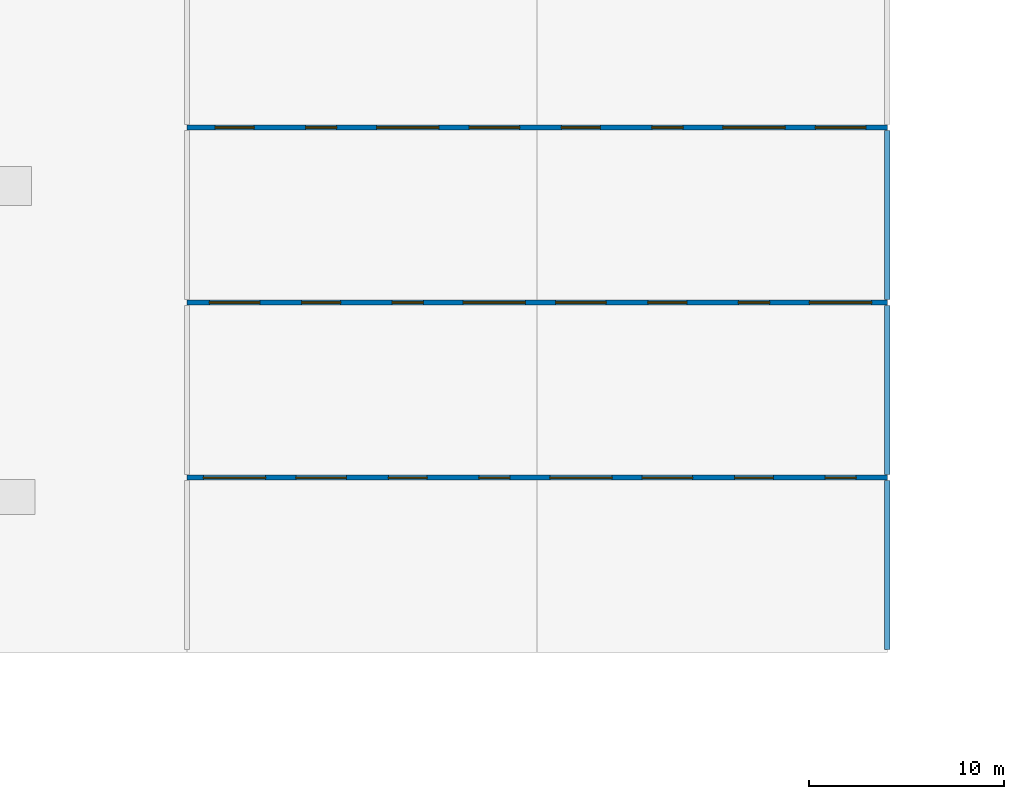
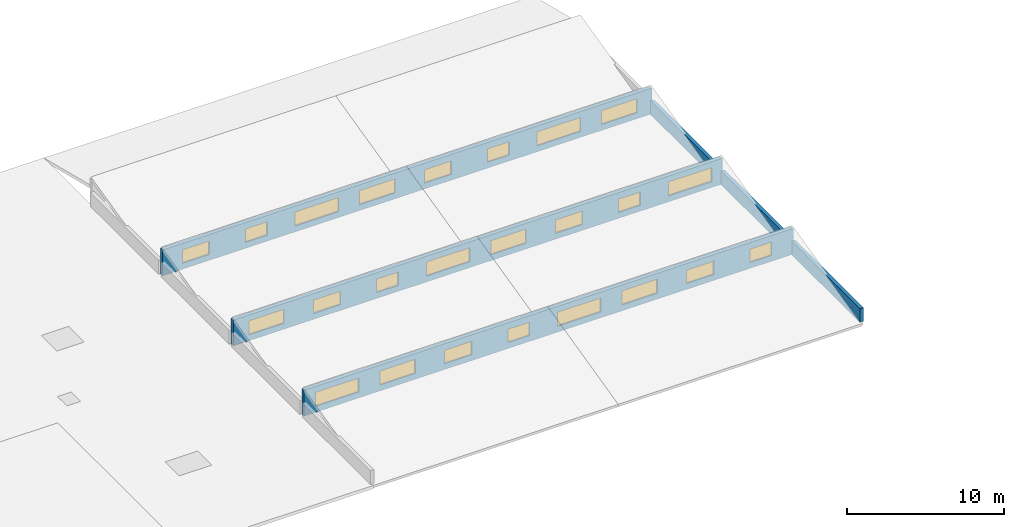
# One storey, part 28 of 37: 24 windows, 6 walls, 24 openings.
"""IFC4 building model written with IfcOpenShell, lengths in metres."""

import ifcopenshell
import ifcopenshell.guid

model = None  # the IFC model being written
_history = None  # IfcOwnerHistory: only IFC2X3 demands one
_inside = {}  # id of a spatial element -> (the spatial element, [elements in it])
_under = {}  # id of a project, library or spatial element -> (it, [spatial elements below it])
_declared = {}  # id of a project -> (the project, [libraries it declares])
_typed = {}  # id of a type object -> (the type object, [elements of that type])
_made_of = {}  # id of a material, layer set ... -> (it, [elements and type objects made of it])


def new_model(schema):
    """Start an empty IFC model of exactly this schema.

    Asked for "IFC4X3", IfcOpenShell would pick the latest addendum, in which some entities
    have other attributes; the version numbers below select the first issue.
    IFC2X3 requires an IfcOwnerHistory on every rooted entity: one is made here for all.
    """
    global model, _history
    if schema == "IFC4X3":
        model = ifcopenshell.file(schema_version=(4, 3, 0, 0))
    else:
        model = ifcopenshell.file(schema=schema)
    _inside.clear()
    _under.clear()
    _declared.clear()
    _typed.clear()
    _made_of.clear()
    _history = None
    if model.schema == "IFC2X3":
        org = make("IfcOrganization", Name="unknown")
        user = make(
            "IfcPersonAndOrganization",
            ThePerson=make("IfcPerson", FamilyName="unknown"),
            TheOrganization=org,
        )
        app = make(
            "IfcApplication",
            ApplicationDeveloper=org,
            Version="unknown",
            ApplicationFullName="unknown",
            ApplicationIdentifier="unknown",
        )
        _history = make(
            "IfcOwnerHistory",
            OwningUser=user,
            OwningApplication=app,
            ChangeAction="ADDED",
            CreationDate=0,
        )
    return model


def make(cls, **values):
    """One entity of the class cls with the attributes given. An attribute that is None is left unset."""
    return model.create_entity(
        cls, **{name: value for name, value in values.items() if value is not None}
    )


def rooted(cls, **values):
    """An entity with a GlobalId (a new one), such as an element, a storey or a relation."""
    return make(cls, GlobalId=ifcopenshell.guid.new(), OwnerHistory=_history, **values)


def si_unit(unit_type, name, prefix=None):
    """IfcSIUnit, for example si_unit("LENGTHUNIT", "METRE", prefix="MILLI")."""
    return make("IfcSIUnit", UnitType=unit_type, Prefix=prefix, Name=name)


def assignment(units):
    """IfcUnitAssignment: the units of a project."""
    return None if units is None else make("IfcUnitAssignment", Units=units)


def point(xyz):
    """IfcCartesianPoint."""
    return None if xyz is None else make("IfcCartesianPoint", Coordinates=xyz)


def direction(xyz):
    """IfcDirection."""
    return None if xyz is None else make("IfcDirection", DirectionRatios=xyz)


def frame(location, z_axis=None, x_axis=None):
    """IfcAxis2Placement3D, a coordinate frame: its origin and axes. An axis left out is left unset."""
    return make(
        "IfcAxis2Placement3D",
        Location=point(location),
        Axis=direction(z_axis),
        RefDirection=direction(x_axis),
    )


def frame_2d(location, x_axis=None):
    """IfcAxis2Placement2D, a coordinate frame in the plane: its origin and x axis."""
    return make(
        "IfcAxis2Placement2D", Location=point(location), RefDirection=direction(x_axis)
    )


def origin():
    """The frame at (0, 0, 0) with its axes left unset."""
    return frame((0.0, 0.0, 0.0))


def place(relative_to, where):
    """IfcLocalPlacement: puts the frame where relative to a parent placement (None: the world)."""
    return make(
        "IfcLocalPlacement", PlacementRelTo=relative_to, RelativePlacement=where
    )


def context(
    kind, dimensions, precision=None, world=None, true_north=None, identifier=None
):
    """IfcGeometricRepresentationContext, for example the 3D "Model" context."""
    return make(
        "IfcGeometricRepresentationContext",
        ContextIdentifier=identifier,
        ContextType=kind,
        CoordinateSpaceDimension=dimensions,
        Precision=precision,
        WorldCoordinateSystem=world,
        TrueNorth=true_north,
    )


def subcontext(parent, identifier, kind, view, scale=None):
    """IfcGeometricRepresentationSubContext, for example "Body" below "Model"."""
    return make(
        "IfcGeometricRepresentationSubContext",
        ContextIdentifier=identifier,
        ContextType=kind,
        ParentContext=parent,
        TargetScale=scale,
        TargetView=view,
    )


def project(units=None, contexts=None):
    """IfcProject with its units and contexts."""
    return rooted(
        "IfcProject",
        Name="project",
        RepresentationContexts=contexts,
        UnitsInContext=assignment(units),
    )


def spatial(cls, under=None, at=None, **own):
    """A site, building, storey or space (cls), placed at a placement, below another one or the project."""
    s = rooted(cls, ObjectPlacement=at, **own)
    if under is not None:
        _under.setdefault(under.id(), (under, []))[1].append(s)
    return s


def profile(cls, at=None, kind="AREA", **sizes):
    """A parametric profile (cls). Its sizes go by their IFC names, for example OverallWidth=200.0."""
    return make(cls, ProfileType=kind, Position=at, **sizes)


def rectangle(**sizes):
    """IfcRectangleProfileDef."""
    return profile("IfcRectangleProfileDef", **sizes)


def extrude(swept, where, along, depth):
    """IfcExtrudedAreaSolid: the profile swept, set in the frame where, extruded along a direction by depth."""
    return make(
        "IfcExtrudedAreaSolid",
        SweptArea=swept,
        Position=where,
        ExtrudedDirection=direction(along),
        Depth=depth,
    )


def shape(context_of_items, identifier, shape_type, items):
    """IfcShapeRepresentation: the items that make up one representation, for example the "Body"."""
    return make(
        "IfcShapeRepresentation",
        ContextOfItems=context_of_items,
        RepresentationIdentifier=identifier,
        RepresentationType=shape_type,
        Items=items,
    )


def material(Name=None, Category=None):
    """IfcMaterial."""
    return make("IfcMaterial", Name=Name, Category=Category)


def layer(
    of_material, thickness, ventilated=None, Name=None, Category=None, Priority=None
):
    """IfcMaterialLayer: one layer of a wall or slab, of a material (None: an air gap)."""
    return make(
        "IfcMaterialLayer",
        Material=of_material,
        LayerThickness=thickness,
        IsVentilated=ventilated,
        Name=Name,
        Category=Category,
        Priority=Priority,
    )


def layer_set(layers, Name=None):
    """IfcMaterialLayerSet."""
    return make("IfcMaterialLayerSet", MaterialLayers=layers, LayerSetName=Name)


def made_of(thing, what):
    """Note that an element or type object is made of a material, layer set ...; save() writes the relation."""
    if what is not None:
        _made_of.setdefault(what.id(), (what, []))[1].append(thing)
    return thing


def type_object(cls, material=None, **own):
    """A type object (cls), such as IfcWallType, which elements share."""
    return made_of(rooted(cls, **own), material)


def element(
    cls,
    number,
    at=None,
    inside=None,
    cuts=None,
    type_object=None,
    material=None,
    context=None,
    identifier="Body",
    shape_type=None,
    held_by="IfcProductDefinitionShape",
    body=None,
    shapes=None,
    **own,
):
    """One element of the class cls, such as IfcWall. Its Tag is "e" and its number.

    at: its placement. inside: the storey or other place that contains it. cuts: it is an
    opening in that element (IfcRelVoidsElement). A single representation is given by context,
    identifier, shape_type and body (its items); several are given by shapes. held_by: the class
    of the entity that holds the representations. save() writes the other relations.
    """
    e = rooted(cls, Tag="e%d" % number, ObjectPlacement=at, **own)
    if body is not None:
        shapes = [shape(context, identifier, shape_type, body)]
    if shapes is not None:
        e.Representation = make(held_by, Representations=shapes)
    if inside is not None:
        _inside.setdefault(inside.id(), (inside, []))[1].append(e)
    if cuts is not None:
        rooted(
            "IfcRelVoidsElement", RelatingBuildingElement=cuts, RelatedOpeningElement=e
        )
    if type_object is not None:
        _typed.setdefault(type_object.id(), (type_object, []))[1].append(e)
    return made_of(e, material)


def fill(opening, filler):
    """IfcRelFillsElement: the door or window that sits in an opening."""
    return rooted(
        "IfcRelFillsElement",
        RelatingOpeningElement=opening,
        RelatedBuildingElement=filler,
    )


def aggregate(whole, parts):
    """IfcRelAggregates: a whole, such as a stair, and the parts it consists of."""
    return rooted("IfcRelAggregates", RelatingObject=whole, RelatedObjects=parts)


def save(model, path):
    """Write the relations noted so far, then the file.

    IfcRelAggregates (storeys below a building ...), IfcRelContainedInSpatialStructure (elements
    in a storey), IfcRelDefinesByType, IfcRelAssociatesMaterial and IfcRelDeclares: one each for
    every whole, place, type object, material and project.
    """
    for whole, parts in _under.values():
        aggregate(whole, parts)
    for where, things in _inside.values():
        rooted(
            "IfcRelContainedInSpatialStructure",
            RelatedElements=things,
            RelatingStructure=where,
        )
    for kind, things in _typed.values():
        rooted("IfcRelDefinesByType", RelatedObjects=things, RelatingType=kind)
    for what, things in _made_of.values():
        rooted("IfcRelAssociatesMaterial", RelatedObjects=things, RelatingMaterial=what)
    for by, libraries in _declared.values():
        rooted("IfcRelDeclares", RelatingContext=by, RelatedDefinitions=libraries)
    model.write(path)


model = new_model("IFC4")

# Units and contexts
model_context = context("Model", 3, precision=1e-05, world=origin(), true_north=direction((0.0, 1.0)))
body_context = subcontext(model_context, "Body", "Model", "MODEL_VIEW")
ifc_project = project(units=[si_unit("LENGTHUNIT", "METRE"), si_unit("AREAUNIT", "SQUARE_METRE"), si_unit("VOLUMEUNIT", "CUBIC_METRE"), si_unit("PLANEANGLEUNIT", "RADIAN"), si_unit("MASSUNIT", "GRAM", prefix="KILO")], contexts=[model_context])

# Site, building, storey
site_placement = place(None, origin())
site = spatial("IfcSite", under=ifc_project, at=site_placement, CompositionType="ELEMENT")
building_placement = place(site_placement, origin())
building = spatial("IfcBuilding", under=site, at=building_placement, Name="Palais des Congres Ocreval", CompositionType="ELEMENT")
storey_placement = place(building_placement, frame((0.0, 0.0, 11.52001953125)))
storey = spatial("IfcBuildingStorey", under=building, at=storey_placement, Name="L03", CompositionType="ELEMENT", Elevation=11.52001953125)

# Wall, openings, windows
ifc_material_1 = material(Name="Concrete C40/50", Category="concrete")
ifc_layer = layer(ifc_material_1, 0.260009765625)
ifc_layer_set = layer_set([ifc_layer], Name="Sawtooth Clerestory Wall 260 Concrete C40/50")
wall_type = type_object("IfcWallType", Name="Sawtooth Clerestory Wall 260 Concrete C40/50", PredefinedType="SOLIDWALL", material=ifc_layer_set)
wall_1_placement = place(storey_placement, frame((126.0, 81.0, 0.0), z_axis=(0.0, 0.0, 1.0), x_axis=(1.0, 0.0, 0.0)))
wall_1 = element("IfcWall", 1, at=wall_1_placement, inside=storey, type_object=wall_type, Name="Ballroom Sawtooth Clerestory Wall 1", PredefinedType="SOLIDWALL", context=body_context, shape_type="SweptSolid", body=[
    extrude(rectangle(XDim=36.0, YDim=0.260009765625, at=frame_2d((18.0, 0.0))), origin(), (0.0, 0.0, 1.0), 2.0),
])
opening_1_placement = place(wall_1_placement, frame((0.85009765625, 0.0, 0.449951171875)))
opening_1 = element("IfcOpeningElement", 2, at=opening_1_placement, cuts=wall_1, Name="Opening SK01", PredefinedType="OPENING", context=body_context, shape_type="SweptSolid", body=[
    extrude(rectangle(XDim=3.199951171875, YDim=1.10009765625, at=frame_2d((1.60009765625, 0.550048828125))), frame((0.0, 0.139892578125, 0.0), z_axis=(0.0, -1.0, 0.0), x_axis=(1.0, 0.0, 0.0)), (0.0, 0.0, 1.0), 0.280029296875),
])
opening_2_placement = place(wall_1_placement, frame((5.60009765625, 0.0, 0.449951171875)))
opening_2 = element("IfcOpeningElement", 3, at=opening_2_placement, cuts=wall_1, Name="Opening SK02", PredefinedType="OPENING", context=body_context, shape_type="SweptSolid", body=[
    extrude(rectangle(XDim=2.60009765625, YDim=1.10009765625, at=frame_2d((1.300048828125, 0.550048828125))), frame((0.0, 0.139892578125, 0.0), z_axis=(0.0, -1.0, 0.0), x_axis=(1.0, 0.0, 0.0)), (0.0, 0.0, 1.0), 0.280029296875),
])
opening_3_placement = place(wall_1_placement, frame((10.35009765625, 0.0, 0.449951171875)))
opening_3 = element("IfcOpeningElement", 4, at=opening_3_placement, cuts=wall_1, Name="Opening SK03", PredefinedType="OPENING", context=body_context, shape_type="SweptSolid", body=[
    extrude(rectangle(XDim=2.0, YDim=1.050048828125, at=frame_2d((1.0, 0.52490234375))), frame((0.0, 0.139892578125, 0.0), z_axis=(0.0, -1.0, 0.0), x_axis=(1.0, 0.0, 0.0)), (0.0, 0.0, 1.0), 0.280029296875),
])
opening_4_placement = place(wall_1_placement, frame((15.0, 0.0, 0.449951171875)))
opening_4 = element("IfcOpeningElement", 5, at=opening_4_placement, cuts=wall_1, Name="Opening SK04", PredefinedType="OPENING", context=body_context, shape_type="SweptSolid", body=[
    extrude(rectangle(XDim=1.60009765625, YDim=1.050048828125, at=frame_2d((0.800048828125, 0.52490234375))), frame((0.0, 0.139892578125, 0.0), z_axis=(0.0, -1.0, 0.0), x_axis=(1.0, 0.0, 0.0)), (0.0, 0.0, 1.0), 0.280029296875),
])
opening_5_placement = place(wall_1_placement, frame((18.64990234375, 0.0, 0.449951171875)))
opening_5 = element("IfcOpeningElement", 6, at=opening_5_placement, cuts=wall_1, Name="Opening SK01", PredefinedType="OPENING", context=body_context, shape_type="SweptSolid", body=[
    extrude(rectangle(XDim=3.199951171875, YDim=1.10009765625, at=frame_2d((1.60009765625, 0.550048828125))), frame((0.0, 0.139892578125, 0.0), z_axis=(0.0, -1.0, 0.0), x_axis=(1.0, 0.0, 0.0)), (0.0, 0.0, 1.0), 0.280029296875),
])
opening_6_placement = place(wall_1_placement, frame((23.39990234375, 0.0, 0.449951171875)))
opening_6 = element("IfcOpeningElement", 7, at=opening_6_placement, cuts=wall_1, Name="Opening SK02", PredefinedType="OPENING", context=body_context, shape_type="SweptSolid", body=[
    extrude(rectangle(XDim=2.60009765625, YDim=1.10009765625, at=frame_2d((1.300048828125, 0.550048828125))), frame((0.0, 0.139892578125, 0.0), z_axis=(0.0, -1.0, 0.0), x_axis=(1.0, 0.0, 0.0)), (0.0, 0.0, 1.0), 0.280029296875),
])
opening_7_placement = place(wall_1_placement, frame((28.14990234375, 0.0, 0.449951171875)))
opening_7 = element("IfcOpeningElement", 8, at=opening_7_placement, cuts=wall_1, Name="Opening SK03", PredefinedType="OPENING", context=body_context, shape_type="SweptSolid", body=[
    extrude(rectangle(XDim=2.0, YDim=1.050048828125, at=frame_2d((1.0, 0.52490234375))), frame((0.0, 0.139892578125, 0.0), z_axis=(0.0, -1.0, 0.0), x_axis=(1.0, 0.0, 0.0)), (0.0, 0.0, 1.0), 0.280029296875),
])
opening_8_placement = place(wall_1_placement, frame((32.800048828125, 0.0, 0.449951171875)))
opening_8 = element("IfcOpeningElement", 9, at=opening_8_placement, cuts=wall_1, Name="Opening SK04", PredefinedType="OPENING", context=body_context, shape_type="SweptSolid", body=[
    extrude(rectangle(XDim=1.60009765625, YDim=1.050048828125, at=frame_2d((0.800048828125, 0.52490234375))), frame((0.0, 0.139892578125, 0.0), z_axis=(0.0, -1.0, 0.0), x_axis=(1.0, 0.0, 0.0)), (0.0, 0.0, 1.0), 0.280029296875),
])
ifc_material_2 = material(Name="Anodized bronze aluminium and low-E glass", Category="glass")
window_type_1 = type_object("IfcWindowType", Name="Ballroom Sawtooth Clerestory Skylight 2600x1100", PartitioningType="SINGLE_PANEL", PredefinedType="SKYLIGHT", material=ifc_material_2)
window_1_placement = place(opening_2_placement, origin())
window_1 = element("IfcWindow", 10, at=window_1_placement, inside=storey, type_object=window_type_1, Name="Sawtooth Northlight Skylight SK02", OverallHeight=1.10009765625, OverallWidth=2.60009765625, PartitioningType="SINGLE_PANEL", PredefinedType="SKYLIGHT", context=body_context, shape_type="SweptSolid", body=[
    extrude(rectangle(XDim=2.60009765625, YDim=1.10009765625, at=frame_2d((1.300048828125, 0.550048828125))), frame((0.0, 0.030029296875, 0.0), z_axis=(0.0, -1.0, 0.0), x_axis=(1.0, 0.0, 0.0)), (0.0, 0.0, 1.0), 0.06005859375),
])
fill(opening_2, window_1)
window_2_placement = place(opening_6_placement, origin())
window_2 = element("IfcWindow", 11, at=window_2_placement, inside=storey, type_object=window_type_1, Name="Sawtooth Northlight Skylight SK02", OverallHeight=1.10009765625, OverallWidth=2.60009765625, PartitioningType="SINGLE_PANEL", PredefinedType="SKYLIGHT", context=body_context, shape_type="SweptSolid", body=[
    extrude(rectangle(XDim=2.60009765625, YDim=1.10009765625, at=frame_2d((1.300048828125, 0.550048828125))), frame((0.0, 0.030029296875, 0.0), z_axis=(0.0, -1.0, 0.0), x_axis=(1.0, 0.0, 0.0)), (0.0, 0.0, 1.0), 0.06005859375),
])
fill(opening_6, window_2)
window_type_2 = type_object("IfcWindowType", Name="Ballroom Sawtooth Clerestory Skylight 3200x1100", PartitioningType="SINGLE_PANEL", PredefinedType="SKYLIGHT", material=ifc_material_2)
window_3_placement = place(opening_1_placement, origin())
window_3 = element("IfcWindow", 12, at=window_3_placement, inside=storey, type_object=window_type_2, Name="Sawtooth Northlight Skylight SK01", OverallHeight=1.10009765625, OverallWidth=3.199951171875, PartitioningType="SINGLE_PANEL", PredefinedType="SKYLIGHT", context=body_context, shape_type="SweptSolid", body=[
    extrude(rectangle(XDim=3.199951171875, YDim=1.10009765625, at=frame_2d((1.60009765625, 0.550048828125))), frame((0.0, 0.030029296875, 0.0), z_axis=(0.0, -1.0, 0.0), x_axis=(1.0, 0.0, 0.0)), (0.0, 0.0, 1.0), 0.06005859375),
])
fill(opening_1, window_3)
window_4_placement = place(opening_5_placement, origin())
window_4 = element("IfcWindow", 13, at=window_4_placement, inside=storey, type_object=window_type_2, Name="Sawtooth Northlight Skylight SK01", OverallHeight=1.10009765625, OverallWidth=3.199951171875, PartitioningType="SINGLE_PANEL", PredefinedType="SKYLIGHT", context=body_context, shape_type="SweptSolid", body=[
    extrude(rectangle(XDim=3.199951171875, YDim=1.10009765625, at=frame_2d((1.60009765625, 0.550048828125))), frame((0.0, 0.030029296875, 0.0), z_axis=(0.0, -1.0, 0.0), x_axis=(1.0, 0.0, 0.0)), (0.0, 0.0, 1.0), 0.06005859375),
])
fill(opening_5, window_4)
window_type_3 = type_object("IfcWindowType", Name="Sawtooth Acoustic Northlight 2000x1050", PartitioningType="SINGLE_PANEL", PredefinedType="SKYLIGHT", material=ifc_material_2)
window_5_placement = place(opening_3_placement, origin())
window_5 = element("IfcWindow", 14, at=window_5_placement, inside=storey, type_object=window_type_3, Name="Sawtooth Northlight Skylight SK03", OverallHeight=1.050048828125, OverallWidth=2.0, PartitioningType="SINGLE_PANEL", PredefinedType="SKYLIGHT", context=body_context, shape_type="SweptSolid", body=[
    extrude(rectangle(XDim=2.0, YDim=1.050048828125, at=frame_2d((1.0, 0.52490234375))), frame((0.0, 0.030029296875, 0.0), z_axis=(0.0, -1.0, 0.0), x_axis=(1.0, 0.0, 0.0)), (0.0, 0.0, 1.0), 0.06005859375),
])
fill(opening_3, window_5)
window_6_placement = place(opening_7_placement, origin())
window_6 = element("IfcWindow", 15, at=window_6_placement, inside=storey, type_object=window_type_3, Name="Sawtooth Northlight Skylight SK03", OverallHeight=1.050048828125, OverallWidth=2.0, PartitioningType="SINGLE_PANEL", PredefinedType="SKYLIGHT", context=body_context, shape_type="SweptSolid", body=[
    extrude(rectangle(XDim=2.0, YDim=1.050048828125, at=frame_2d((1.0, 0.52490234375))), frame((0.0, 0.030029296875, 0.0), z_axis=(0.0, -1.0, 0.0), x_axis=(1.0, 0.0, 0.0)), (0.0, 0.0, 1.0), 0.06005859375),
])
fill(opening_7, window_6)
window_type_4 = type_object("IfcWindowType", Name="Sawtooth End Northlight 1600x1050", PartitioningType="SINGLE_PANEL", PredefinedType="SKYLIGHT", material=ifc_material_2)
window_7_placement = place(opening_4_placement, origin())
window_7 = element("IfcWindow", 16, at=window_7_placement, inside=storey, type_object=window_type_4, Name="Sawtooth Northlight Skylight SK04", OverallHeight=1.050048828125, OverallWidth=1.60009765625, PartitioningType="SINGLE_PANEL", PredefinedType="SKYLIGHT", context=body_context, shape_type="SweptSolid", body=[
    extrude(rectangle(XDim=1.60009765625, YDim=1.050048828125, at=frame_2d((0.800048828125, 0.52490234375))), frame((0.0, 0.030029296875, 0.0), z_axis=(0.0, -1.0, 0.0), x_axis=(1.0, 0.0, 0.0)), (0.0, 0.0, 1.0), 0.06005859375),
])
fill(opening_4, window_7)
window_8_placement = place(opening_8_placement, origin())
window_8 = element("IfcWindow", 17, at=window_8_placement, inside=storey, type_object=window_type_4, Name="Sawtooth Northlight Skylight SK04", OverallHeight=1.050048828125, OverallWidth=1.60009765625, PartitioningType="SINGLE_PANEL", PredefinedType="SKYLIGHT", context=body_context, shape_type="SweptSolid", body=[
    extrude(rectangle(XDim=1.60009765625, YDim=1.050048828125, at=frame_2d((0.800048828125, 0.52490234375))), frame((0.0, 0.030029296875, 0.0), z_axis=(0.0, -1.0, 0.0), x_axis=(1.0, 0.0, 0.0)), (0.0, 0.0, 1.0), 0.06005859375),
])
fill(opening_8, window_8)

# Wall
wall_2_placement = place(storey_placement, frame((162.0, 72.159912109375, 0.0), z_axis=(0.0, 0.0, 1.0), x_axis=(0.0, 1.0, 0.0)))
element("IfcWall", 18, at=wall_2_placement, inside=storey, type_object=wall_type, Name="Ballroom Sawtooth End Cheek Wall 1-E", PredefinedType="SOLIDWALL", context=body_context, shape_type="SweptSolid", body=[
    extrude(rectangle(XDim=8.68017578125, YDim=0.260009765625, at=frame_2d((4.340087890625, 0.0))), origin(), (0.0, 0.0, 1.0), 1.080078125),
])

# Wall, openings, windows
wall_3_placement = place(storey_placement, frame((126.0, 90.0, 0.0), z_axis=(0.0, 0.0, 1.0), x_axis=(1.0, 0.0, 0.0)))
wall_3 = element("IfcWall", 19, at=wall_3_placement, inside=storey, type_object=wall_type, Name="Ballroom Sawtooth Clerestory Wall 2", PredefinedType="SOLIDWALL", context=body_context, shape_type="SweptSolid", body=[
    extrude(rectangle(XDim=36.0, YDim=0.260009765625, at=frame_2d((18.0, 0.0))), origin(), (0.0, 0.0, 1.0), 2.0),
])
opening_9_placement = place(wall_3_placement, frame((1.14990234375, 0.0, 0.449951171875)))
opening_9 = element("IfcOpeningElement", 20, at=opening_9_placement, cuts=wall_3, Name="Opening SK02", PredefinedType="OPENING", context=body_context, shape_type="SweptSolid", body=[
    extrude(rectangle(XDim=2.60009765625, YDim=1.10009765625, at=frame_2d((1.300048828125, 0.550048828125))), frame((0.0, 0.139892578125, 0.0), z_axis=(0.0, -1.0, 0.0), x_axis=(1.0, 0.0, 0.0)), (0.0, 0.0, 1.0), 0.280029296875),
])
opening_10_placement = place(wall_3_placement, frame((5.89990234375, 0.0, 0.449951171875)))
opening_10 = element("IfcOpeningElement", 21, at=opening_10_placement, cuts=wall_3, Name="Opening SK03", PredefinedType="OPENING", context=body_context, shape_type="SweptSolid", body=[
    extrude(rectangle(XDim=2.0, YDim=1.050048828125, at=frame_2d((1.0, 0.52490234375))), frame((0.0, 0.139892578125, 0.0), z_axis=(0.0, -1.0, 0.0), x_axis=(1.0, 0.0, 0.0)), (0.0, 0.0, 1.0), 0.280029296875),
])
opening_11_placement = place(wall_3_placement, frame((10.550048828125, 0.0, 0.449951171875)))
opening_11 = element("IfcOpeningElement", 22, at=opening_11_placement, cuts=wall_3, Name="Opening SK04", PredefinedType="OPENING", context=body_context, shape_type="SweptSolid", body=[
    extrude(rectangle(XDim=1.60009765625, YDim=1.050048828125, at=frame_2d((0.800048828125, 0.52490234375))), frame((0.0, 0.139892578125, 0.0), z_axis=(0.0, -1.0, 0.0), x_axis=(1.0, 0.0, 0.0)), (0.0, 0.0, 1.0), 0.280029296875),
])
opening_12_placement = place(wall_3_placement, frame((14.199951171875, 0.0, 0.449951171875)))
opening_12 = element("IfcOpeningElement", 23, at=opening_12_placement, cuts=wall_3, Name="Opening SK01", PredefinedType="OPENING", context=body_context, shape_type="SweptSolid", body=[
    extrude(rectangle(XDim=3.199951171875, YDim=1.10009765625, at=frame_2d((1.60009765625, 0.550048828125))), frame((0.0, 0.139892578125, 0.0), z_axis=(0.0, -1.0, 0.0), x_axis=(1.0, 0.0, 0.0)), (0.0, 0.0, 1.0), 0.280029296875),
])
opening_13_placement = place(wall_3_placement, frame((18.949951171875, 0.0, 0.449951171875)))
opening_13 = element("IfcOpeningElement", 24, at=opening_13_placement, cuts=wall_3, Name="Opening SK02", PredefinedType="OPENING", context=body_context, shape_type="SweptSolid", body=[
    extrude(rectangle(XDim=2.60009765625, YDim=1.10009765625, at=frame_2d((1.300048828125, 0.550048828125))), frame((0.0, 0.139892578125, 0.0), z_axis=(0.0, -1.0, 0.0), x_axis=(1.0, 0.0, 0.0)), (0.0, 0.0, 1.0), 0.280029296875),
])
opening_14_placement = place(wall_3_placement, frame((23.699951171875, 0.0, 0.449951171875)))
opening_14 = element("IfcOpeningElement", 25, at=opening_14_placement, cuts=wall_3, Name="Opening SK03", PredefinedType="OPENING", context=body_context, shape_type="SweptSolid", body=[
    extrude(rectangle(XDim=2.0, YDim=1.050048828125, at=frame_2d((1.0, 0.52490234375))), frame((0.0, 0.139892578125, 0.0), z_axis=(0.0, -1.0, 0.0), x_axis=(1.0, 0.0, 0.0)), (0.0, 0.0, 1.0), 0.280029296875),
])
opening_15_placement = place(wall_3_placement, frame((28.35009765625, 0.0, 0.449951171875)))
opening_15 = element("IfcOpeningElement", 26, at=opening_15_placement, cuts=wall_3, Name="Opening SK04", PredefinedType="OPENING", context=body_context, shape_type="SweptSolid", body=[
    extrude(rectangle(XDim=1.60009765625, YDim=1.050048828125, at=frame_2d((0.800048828125, 0.52490234375))), frame((0.0, 0.139892578125, 0.0), z_axis=(0.0, -1.0, 0.0), x_axis=(1.0, 0.0, 0.0)), (0.0, 0.0, 1.0), 0.280029296875),
])
opening_16_placement = place(wall_3_placement, frame((32.0, 0.0, 0.449951171875)))
opening_16 = element("IfcOpeningElement", 27, at=opening_16_placement, cuts=wall_3, Name="Opening SK01", PredefinedType="OPENING", context=body_context, shape_type="SweptSolid", body=[
    extrude(rectangle(XDim=3.199951171875, YDim=1.10009765625, at=frame_2d((1.60009765625, 0.550048828125))), frame((0.0, 0.139892578125, 0.0), z_axis=(0.0, -1.0, 0.0), x_axis=(1.0, 0.0, 0.0)), (0.0, 0.0, 1.0), 0.280029296875),
])
window_9_placement = place(opening_9_placement, origin())
window_9 = element("IfcWindow", 28, at=window_9_placement, inside=storey, type_object=window_type_1, Name="Sawtooth Northlight Skylight SK02", OverallHeight=1.10009765625, OverallWidth=2.60009765625, PartitioningType="SINGLE_PANEL", PredefinedType="SKYLIGHT", context=body_context, shape_type="SweptSolid", body=[
    extrude(rectangle(XDim=2.60009765625, YDim=1.10009765625, at=frame_2d((1.300048828125, 0.550048828125))), frame((0.0, 0.030029296875, 0.0), z_axis=(0.0, -1.0, 0.0), x_axis=(1.0, 0.0, 0.0)), (0.0, 0.0, 1.0), 0.06005859375),
])
fill(opening_9, window_9)
window_10_placement = place(opening_13_placement, origin())
window_10 = element("IfcWindow", 29, at=window_10_placement, inside=storey, type_object=window_type_1, Name="Sawtooth Northlight Skylight SK02", OverallHeight=1.10009765625, OverallWidth=2.60009765625, PartitioningType="SINGLE_PANEL", PredefinedType="SKYLIGHT", context=body_context, shape_type="SweptSolid", body=[
    extrude(rectangle(XDim=2.60009765625, YDim=1.10009765625, at=frame_2d((1.300048828125, 0.550048828125))), frame((0.0, 0.030029296875, 0.0), z_axis=(0.0, -1.0, 0.0), x_axis=(1.0, 0.0, 0.0)), (0.0, 0.0, 1.0), 0.06005859375),
])
fill(opening_13, window_10)
window_11_placement = place(opening_12_placement, origin())
window_11 = element("IfcWindow", 30, at=window_11_placement, inside=storey, type_object=window_type_2, Name="Sawtooth Northlight Skylight SK01", OverallHeight=1.10009765625, OverallWidth=3.199951171875, PartitioningType="SINGLE_PANEL", PredefinedType="SKYLIGHT", context=body_context, shape_type="SweptSolid", body=[
    extrude(rectangle(XDim=3.199951171875, YDim=1.10009765625, at=frame_2d((1.60009765625, 0.550048828125))), frame((0.0, 0.030029296875, 0.0), z_axis=(0.0, -1.0, 0.0), x_axis=(1.0, 0.0, 0.0)), (0.0, 0.0, 1.0), 0.06005859375),
])
fill(opening_12, window_11)
window_12_placement = place(opening_16_placement, origin())
window_12 = element("IfcWindow", 31, at=window_12_placement, inside=storey, type_object=window_type_2, Name="Sawtooth Northlight Skylight SK01", OverallHeight=1.10009765625, OverallWidth=3.199951171875, PartitioningType="SINGLE_PANEL", PredefinedType="SKYLIGHT", context=body_context, shape_type="SweptSolid", body=[
    extrude(rectangle(XDim=3.199951171875, YDim=1.10009765625, at=frame_2d((1.60009765625, 0.550048828125))), frame((0.0, 0.030029296875, 0.0), z_axis=(0.0, -1.0, 0.0), x_axis=(1.0, 0.0, 0.0)), (0.0, 0.0, 1.0), 0.06005859375),
])
fill(opening_16, window_12)
window_13_placement = place(opening_10_placement, origin())
window_13 = element("IfcWindow", 32, at=window_13_placement, inside=storey, type_object=window_type_3, Name="Sawtooth Northlight Skylight SK03", OverallHeight=1.050048828125, OverallWidth=2.0, PartitioningType="SINGLE_PANEL", PredefinedType="SKYLIGHT", context=body_context, shape_type="SweptSolid", body=[
    extrude(rectangle(XDim=2.0, YDim=1.050048828125, at=frame_2d((1.0, 0.52490234375))), frame((0.0, 0.030029296875, 0.0), z_axis=(0.0, -1.0, 0.0), x_axis=(1.0, 0.0, 0.0)), (0.0, 0.0, 1.0), 0.06005859375),
])
fill(opening_10, window_13)
window_14_placement = place(opening_14_placement, origin())
window_14 = element("IfcWindow", 33, at=window_14_placement, inside=storey, type_object=window_type_3, Name="Sawtooth Northlight Skylight SK03", OverallHeight=1.050048828125, OverallWidth=2.0, PartitioningType="SINGLE_PANEL", PredefinedType="SKYLIGHT", context=body_context, shape_type="SweptSolid", body=[
    extrude(rectangle(XDim=2.0, YDim=1.050048828125, at=frame_2d((1.0, 0.52490234375))), frame((0.0, 0.030029296875, 0.0), z_axis=(0.0, -1.0, 0.0), x_axis=(1.0, 0.0, 0.0)), (0.0, 0.0, 1.0), 0.06005859375),
])
fill(opening_14, window_14)
window_15_placement = place(opening_11_placement, origin())
window_15 = element("IfcWindow", 34, at=window_15_placement, inside=storey, type_object=window_type_4, Name="Sawtooth Northlight Skylight SK04", OverallHeight=1.050048828125, OverallWidth=1.60009765625, PartitioningType="SINGLE_PANEL", PredefinedType="SKYLIGHT", context=body_context, shape_type="SweptSolid", body=[
    extrude(rectangle(XDim=1.60009765625, YDim=1.050048828125, at=frame_2d((0.800048828125, 0.52490234375))), frame((0.0, 0.030029296875, 0.0), z_axis=(0.0, -1.0, 0.0), x_axis=(1.0, 0.0, 0.0)), (0.0, 0.0, 1.0), 0.06005859375),
])
fill(opening_11, window_15)
window_16_placement = place(opening_15_placement, origin())
window_16 = element("IfcWindow", 35, at=window_16_placement, inside=storey, type_object=window_type_4, Name="Sawtooth Northlight Skylight SK04", OverallHeight=1.050048828125, OverallWidth=1.60009765625, PartitioningType="SINGLE_PANEL", PredefinedType="SKYLIGHT", context=body_context, shape_type="SweptSolid", body=[
    extrude(rectangle(XDim=1.60009765625, YDim=1.050048828125, at=frame_2d((0.800048828125, 0.52490234375))), frame((0.0, 0.030029296875, 0.0), z_axis=(0.0, -1.0, 0.0), x_axis=(1.0, 0.0, 0.0)), (0.0, 0.0, 1.0), 0.06005859375),
])
fill(opening_15, window_16)

# Wall
wall_4_placement = place(storey_placement, frame((162.0, 81.159912109375, 0.0), z_axis=(0.0, 0.0, 1.0), x_axis=(0.0, 1.0, 0.0)))
element("IfcWall", 36, at=wall_4_placement, inside=storey, type_object=wall_type, Name="Ballroom Sawtooth End Cheek Wall 2-E", PredefinedType="SOLIDWALL", context=body_context, shape_type="SweptSolid", body=[
    extrude(rectangle(XDim=8.68017578125, YDim=0.260009765625, at=frame_2d((4.340087890625, 0.0))), origin(), (0.0, 0.0, 1.0), 1.080078125),
])

# Wall, openings, windows
wall_5_placement = place(storey_placement, frame((126.0, 99.0, 0.0), z_axis=(0.0, 0.0, 1.0), x_axis=(1.0, 0.0, 0.0)))
wall_5 = element("IfcWall", 37, at=wall_5_placement, inside=storey, type_object=wall_type, Name="Ballroom Sawtooth Clerestory Wall 3", PredefinedType="SOLIDWALL", context=body_context, shape_type="SweptSolid", body=[
    extrude(rectangle(XDim=36.0, YDim=0.260009765625, at=frame_2d((18.0, 0.0))), origin(), (0.0, 0.0, 1.0), 2.0),
])
opening_17_placement = place(wall_5_placement, frame((1.449951171875, 0.0, 0.449951171875)))
opening_17 = element("IfcOpeningElement", 38, at=opening_17_placement, cuts=wall_5, Name="Opening SK03", PredefinedType="OPENING", context=body_context, shape_type="SweptSolid", body=[
    extrude(rectangle(XDim=2.0, YDim=1.050048828125, at=frame_2d((1.0, 0.52490234375))), frame((0.0, 0.139892578125, 0.0), z_axis=(0.0, -1.0, 0.0), x_axis=(1.0, 0.0, 0.0)), (0.0, 0.0, 1.0), 0.280029296875),
])
opening_18_placement = place(wall_5_placement, frame((6.10009765625, 0.0, 0.449951171875)))
opening_18 = element("IfcOpeningElement", 39, at=opening_18_placement, cuts=wall_5, Name="Opening SK04", PredefinedType="OPENING", context=body_context, shape_type="SweptSolid", body=[
    extrude(rectangle(XDim=1.60009765625, YDim=1.050048828125, at=frame_2d((0.800048828125, 0.52490234375))), frame((0.0, 0.139892578125, 0.0), z_axis=(0.0, -1.0, 0.0), x_axis=(1.0, 0.0, 0.0)), (0.0, 0.0, 1.0), 0.280029296875),
])
opening_19_placement = place(wall_5_placement, frame((9.75, 0.0, 0.449951171875)))
opening_19 = element("IfcOpeningElement", 40, at=opening_19_placement, cuts=wall_5, Name="Opening SK01", PredefinedType="OPENING", context=body_context, shape_type="SweptSolid", body=[
    extrude(rectangle(XDim=3.199951171875, YDim=1.10009765625, at=frame_2d((1.60009765625, 0.550048828125))), frame((0.0, 0.139892578125, 0.0), z_axis=(0.0, -1.0, 0.0), x_axis=(1.0, 0.0, 0.0)), (0.0, 0.0, 1.0), 0.280029296875),
])
opening_20_placement = place(wall_5_placement, frame((14.5, 0.0, 0.449951171875)))
opening_20 = element("IfcOpeningElement", 41, at=opening_20_placement, cuts=wall_5, Name="Opening SK02", PredefinedType="OPENING", context=body_context, shape_type="SweptSolid", body=[
    extrude(rectangle(XDim=2.60009765625, YDim=1.10009765625, at=frame_2d((1.300048828125, 0.550048828125))), frame((0.0, 0.139892578125, 0.0), z_axis=(0.0, -1.0, 0.0), x_axis=(1.0, 0.0, 0.0)), (0.0, 0.0, 1.0), 0.280029296875),
])
opening_21_placement = place(wall_5_placement, frame((19.25, 0.0, 0.449951171875)))
opening_21 = element("IfcOpeningElement", 42, at=opening_21_placement, cuts=wall_5, Name="Opening SK03", PredefinedType="OPENING", context=body_context, shape_type="SweptSolid", body=[
    extrude(rectangle(XDim=2.0, YDim=1.050048828125, at=frame_2d((1.0, 0.52490234375))), frame((0.0, 0.139892578125, 0.0), z_axis=(0.0, -1.0, 0.0), x_axis=(1.0, 0.0, 0.0)), (0.0, 0.0, 1.0), 0.280029296875),
])
opening_22_placement = place(wall_5_placement, frame((23.89990234375, 0.0, 0.449951171875)))
opening_22 = element("IfcOpeningElement", 43, at=opening_22_placement, cuts=wall_5, Name="Opening SK04", PredefinedType="OPENING", context=body_context, shape_type="SweptSolid", body=[
    extrude(rectangle(XDim=1.60009765625, YDim=1.050048828125, at=frame_2d((0.800048828125, 0.52490234375))), frame((0.0, 0.139892578125, 0.0), z_axis=(0.0, -1.0, 0.0), x_axis=(1.0, 0.0, 0.0)), (0.0, 0.0, 1.0), 0.280029296875),
])
opening_23_placement = place(wall_5_placement, frame((27.550048828125, 0.0, 0.449951171875)))
opening_23 = element("IfcOpeningElement", 44, at=opening_23_placement, cuts=wall_5, Name="Opening SK01", PredefinedType="OPENING", context=body_context, shape_type="SweptSolid", body=[
    extrude(rectangle(XDim=3.199951171875, YDim=1.10009765625, at=frame_2d((1.60009765625, 0.550048828125))), frame((0.0, 0.139892578125, 0.0), z_axis=(0.0, -1.0, 0.0), x_axis=(1.0, 0.0, 0.0)), (0.0, 0.0, 1.0), 0.280029296875),
])
opening_24_placement = place(wall_5_placement, frame((32.300048828125, 0.0, 0.449951171875)))
opening_24 = element("IfcOpeningElement", 45, at=opening_24_placement, cuts=wall_5, Name="Opening SK02", PredefinedType="OPENING", context=body_context, shape_type="SweptSolid", body=[
    extrude(rectangle(XDim=2.60009765625, YDim=1.10009765625, at=frame_2d((1.300048828125, 0.550048828125))), frame((0.0, 0.139892578125, 0.0), z_axis=(0.0, -1.0, 0.0), x_axis=(1.0, 0.0, 0.0)), (0.0, 0.0, 1.0), 0.280029296875),
])
window_17_placement = place(opening_20_placement, origin())
window_17 = element("IfcWindow", 46, at=window_17_placement, inside=storey, type_object=window_type_1, Name="Sawtooth Northlight Skylight SK02", OverallHeight=1.10009765625, OverallWidth=2.60009765625, PartitioningType="SINGLE_PANEL", PredefinedType="SKYLIGHT", context=body_context, shape_type="SweptSolid", body=[
    extrude(rectangle(XDim=2.60009765625, YDim=1.10009765625, at=frame_2d((1.300048828125, 0.550048828125))), frame((0.0, 0.030029296875, 0.0), z_axis=(0.0, -1.0, 0.0), x_axis=(1.0, 0.0, 0.0)), (0.0, 0.0, 1.0), 0.06005859375),
])
fill(opening_20, window_17)
window_18_placement = place(opening_24_placement, origin())
window_18 = element("IfcWindow", 47, at=window_18_placement, inside=storey, type_object=window_type_1, Name="Sawtooth Northlight Skylight SK02", OverallHeight=1.10009765625, OverallWidth=2.60009765625, PartitioningType="SINGLE_PANEL", PredefinedType="SKYLIGHT", context=body_context, shape_type="SweptSolid", body=[
    extrude(rectangle(XDim=2.60009765625, YDim=1.10009765625, at=frame_2d((1.300048828125, 0.550048828125))), frame((0.0, 0.030029296875, 0.0), z_axis=(0.0, -1.0, 0.0), x_axis=(1.0, 0.0, 0.0)), (0.0, 0.0, 1.0), 0.06005859375),
])
fill(opening_24, window_18)
window_19_placement = place(opening_19_placement, origin())
window_19 = element("IfcWindow", 48, at=window_19_placement, inside=storey, type_object=window_type_2, Name="Sawtooth Northlight Skylight SK01", OverallHeight=1.10009765625, OverallWidth=3.199951171875, PartitioningType="SINGLE_PANEL", PredefinedType="SKYLIGHT", context=body_context, shape_type="SweptSolid", body=[
    extrude(rectangle(XDim=3.199951171875, YDim=1.10009765625, at=frame_2d((1.60009765625, 0.550048828125))), frame((0.0, 0.030029296875, 0.0), z_axis=(0.0, -1.0, 0.0), x_axis=(1.0, 0.0, 0.0)), (0.0, 0.0, 1.0), 0.06005859375),
])
fill(opening_19, window_19)
window_20_placement = place(opening_23_placement, origin())
window_20 = element("IfcWindow", 49, at=window_20_placement, inside=storey, type_object=window_type_2, Name="Sawtooth Northlight Skylight SK01", OverallHeight=1.10009765625, OverallWidth=3.199951171875, PartitioningType="SINGLE_PANEL", PredefinedType="SKYLIGHT", context=body_context, shape_type="SweptSolid", body=[
    extrude(rectangle(XDim=3.199951171875, YDim=1.10009765625, at=frame_2d((1.60009765625, 0.550048828125))), frame((0.0, 0.030029296875, 0.0), z_axis=(0.0, -1.0, 0.0), x_axis=(1.0, 0.0, 0.0)), (0.0, 0.0, 1.0), 0.06005859375),
])
fill(opening_23, window_20)
window_21_placement = place(opening_17_placement, origin())
window_21 = element("IfcWindow", 50, at=window_21_placement, inside=storey, type_object=window_type_3, Name="Sawtooth Northlight Skylight SK03", OverallHeight=1.050048828125, OverallWidth=2.0, PartitioningType="SINGLE_PANEL", PredefinedType="SKYLIGHT", context=body_context, shape_type="SweptSolid", body=[
    extrude(rectangle(XDim=2.0, YDim=1.050048828125, at=frame_2d((1.0, 0.52490234375))), frame((0.0, 0.030029296875, 0.0), z_axis=(0.0, -1.0, 0.0), x_axis=(1.0, 0.0, 0.0)), (0.0, 0.0, 1.0), 0.06005859375),
])
fill(opening_17, window_21)
window_22_placement = place(opening_21_placement, origin())
window_22 = element("IfcWindow", 51, at=window_22_placement, inside=storey, type_object=window_type_3, Name="Sawtooth Northlight Skylight SK03", OverallHeight=1.050048828125, OverallWidth=2.0, PartitioningType="SINGLE_PANEL", PredefinedType="SKYLIGHT", context=body_context, shape_type="SweptSolid", body=[
    extrude(rectangle(XDim=2.0, YDim=1.050048828125, at=frame_2d((1.0, 0.52490234375))), frame((0.0, 0.030029296875, 0.0), z_axis=(0.0, -1.0, 0.0), x_axis=(1.0, 0.0, 0.0)), (0.0, 0.0, 1.0), 0.06005859375),
])
fill(opening_21, window_22)
window_23_placement = place(opening_18_placement, origin())
window_23 = element("IfcWindow", 52, at=window_23_placement, inside=storey, type_object=window_type_4, Name="Sawtooth Northlight Skylight SK04", OverallHeight=1.050048828125, OverallWidth=1.60009765625, PartitioningType="SINGLE_PANEL", PredefinedType="SKYLIGHT", context=body_context, shape_type="SweptSolid", body=[
    extrude(rectangle(XDim=1.60009765625, YDim=1.050048828125, at=frame_2d((0.800048828125, 0.52490234375))), frame((0.0, 0.030029296875, 0.0), z_axis=(0.0, -1.0, 0.0), x_axis=(1.0, 0.0, 0.0)), (0.0, 0.0, 1.0), 0.06005859375),
])
fill(opening_18, window_23)
window_24_placement = place(opening_22_placement, origin())
window_24 = element("IfcWindow", 53, at=window_24_placement, inside=storey, type_object=window_type_4, Name="Sawtooth Northlight Skylight SK04", OverallHeight=1.050048828125, OverallWidth=1.60009765625, PartitioningType="SINGLE_PANEL", PredefinedType="SKYLIGHT", context=body_context, shape_type="SweptSolid", body=[
    extrude(rectangle(XDim=1.60009765625, YDim=1.050048828125, at=frame_2d((0.800048828125, 0.52490234375))), frame((0.0, 0.030029296875, 0.0), z_axis=(0.0, -1.0, 0.0), x_axis=(1.0, 0.0, 0.0)), (0.0, 0.0, 1.0), 0.06005859375),
])
fill(opening_22, window_24)

# Wall
wall_6_placement = place(storey_placement, frame((162.0, 90.159912109375, 0.0), z_axis=(0.0, 0.0, 1.0), x_axis=(0.0, 1.0, 0.0)))
element("IfcWall", 54, at=wall_6_placement, inside=storey, type_object=wall_type, Name="Ballroom Sawtooth End Cheek Wall 3-E", PredefinedType="SOLIDWALL", context=body_context, shape_type="SweptSolid", body=[
    extrude(rectangle(XDim=8.68017578125, YDim=0.260009765625, at=frame_2d((4.340087890625, 0.0))), origin(), (0.0, 0.0, 1.0), 1.080078125),
])

save(model, "model.ifc")
